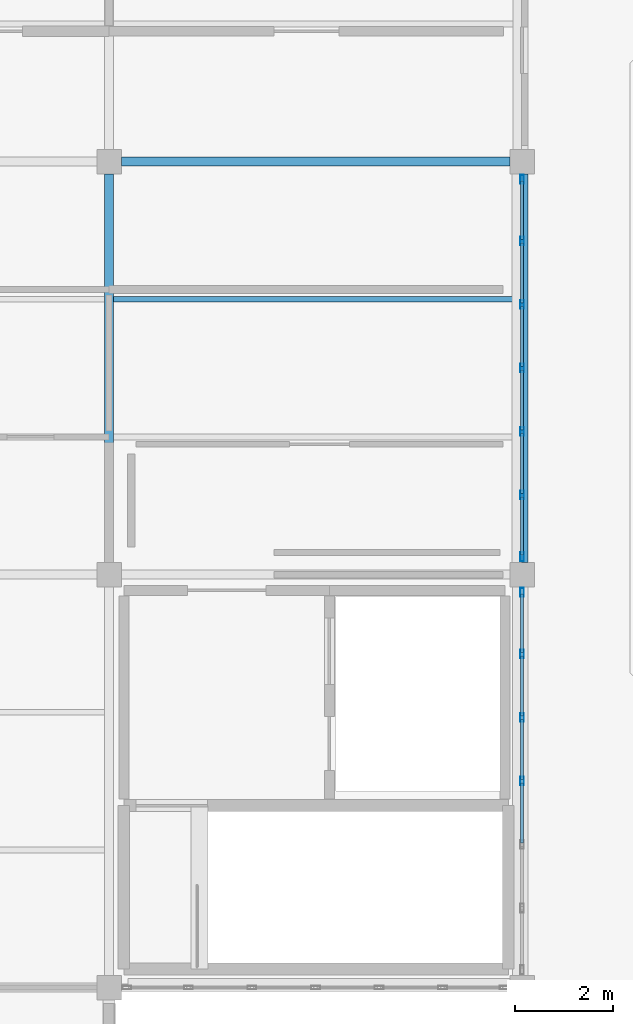
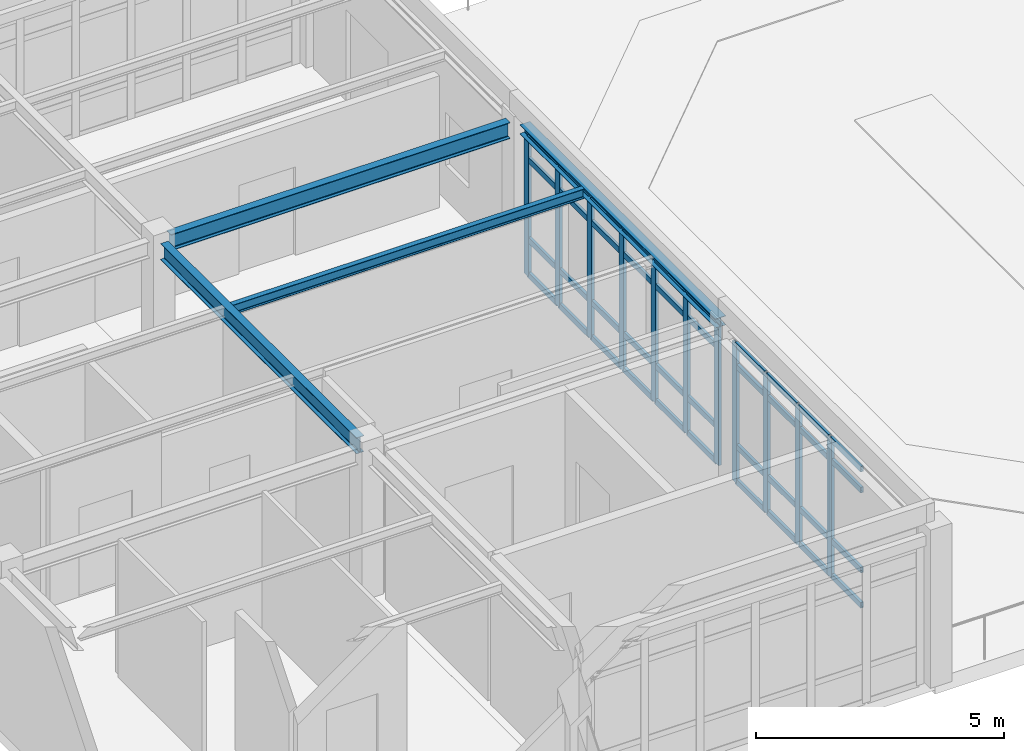
# One storey, part 23 of 45: 51 members, 4 beams, 2 elements without a shape of their own.
"""IFC4 building model written with IfcOpenShell, lengths in metres."""

import ifcopenshell
import ifcopenshell.guid

model = None  # the IFC model being written
_history = None  # IfcOwnerHistory: only IFC2X3 demands one
_inside = {}  # id of a spatial element -> (the spatial element, [elements in it])
_under = {}  # id of a project, library or spatial element -> (it, [spatial elements below it])
_declared = {}  # id of a project -> (the project, [libraries it declares])
_typed = {}  # id of a type object -> (the type object, [elements of that type])
_made_of = {}  # id of a material, layer set ... -> (it, [elements and type objects made of it])


def new_model(schema):
    """Start an empty IFC model of exactly this schema.

    Asked for "IFC4X3", IfcOpenShell would pick the latest addendum, in which some entities
    have other attributes; the version numbers below select the first issue.
    IFC2X3 requires an IfcOwnerHistory on every rooted entity: one is made here for all.
    """
    global model, _history
    if schema == "IFC4X3":
        model = ifcopenshell.file(schema_version=(4, 3, 0, 0))
    else:
        model = ifcopenshell.file(schema=schema)
    _inside.clear()
    _under.clear()
    _declared.clear()
    _typed.clear()
    _made_of.clear()
    _history = None
    if model.schema == "IFC2X3":
        org = make("IfcOrganization", Name="unknown")
        user = make(
            "IfcPersonAndOrganization",
            ThePerson=make("IfcPerson", FamilyName="unknown"),
            TheOrganization=org,
        )
        app = make(
            "IfcApplication",
            ApplicationDeveloper=org,
            Version="unknown",
            ApplicationFullName="unknown",
            ApplicationIdentifier="unknown",
        )
        _history = make(
            "IfcOwnerHistory",
            OwningUser=user,
            OwningApplication=app,
            ChangeAction="ADDED",
            CreationDate=0,
        )
    return model


def make(cls, **values):
    """One entity of the class cls with the attributes given. An attribute that is None is left unset."""
    return model.create_entity(
        cls, **{name: value for name, value in values.items() if value is not None}
    )


def rooted(cls, **values):
    """An entity with a GlobalId (a new one), such as an element, a storey or a relation."""
    return make(cls, GlobalId=ifcopenshell.guid.new(), OwnerHistory=_history, **values)


def si_unit(unit_type, name, prefix=None):
    """IfcSIUnit, for example si_unit("LENGTHUNIT", "METRE", prefix="MILLI")."""
    return make("IfcSIUnit", UnitType=unit_type, Prefix=prefix, Name=name)


def assignment(units):
    """IfcUnitAssignment: the units of a project."""
    return None if units is None else make("IfcUnitAssignment", Units=units)


def point(xyz):
    """IfcCartesianPoint."""
    return None if xyz is None else make("IfcCartesianPoint", Coordinates=xyz)


def direction(xyz):
    """IfcDirection."""
    return None if xyz is None else make("IfcDirection", DirectionRatios=xyz)


def frame(location, z_axis=None, x_axis=None):
    """IfcAxis2Placement3D, a coordinate frame: its origin and axes. An axis left out is left unset."""
    return make(
        "IfcAxis2Placement3D",
        Location=point(location),
        Axis=direction(z_axis),
        RefDirection=direction(x_axis),
    )


def frame_2d(location, x_axis=None):
    """IfcAxis2Placement2D, a coordinate frame in the plane: its origin and x axis."""
    return make(
        "IfcAxis2Placement2D", Location=point(location), RefDirection=direction(x_axis)
    )


def origin():
    """The frame at (0, 0, 0) with its axes left unset."""
    return frame((0.0, 0.0, 0.0))


def origin_2d():
    """The frame at (0, 0) in the plane with its x axis left unset."""
    return frame_2d((0.0, 0.0))


def place(relative_to, where):
    """IfcLocalPlacement: puts the frame where relative to a parent placement (None: the world)."""
    return make(
        "IfcLocalPlacement", PlacementRelTo=relative_to, RelativePlacement=where
    )


def context(
    kind, dimensions, precision=None, world=None, true_north=None, identifier=None
):
    """IfcGeometricRepresentationContext, for example the 3D "Model" context."""
    return make(
        "IfcGeometricRepresentationContext",
        ContextIdentifier=identifier,
        ContextType=kind,
        CoordinateSpaceDimension=dimensions,
        Precision=precision,
        WorldCoordinateSystem=world,
        TrueNorth=true_north,
    )


def subcontext(parent, identifier, kind, view, scale=None):
    """IfcGeometricRepresentationSubContext, for example "Body" below "Model"."""
    return make(
        "IfcGeometricRepresentationSubContext",
        ContextIdentifier=identifier,
        ContextType=kind,
        ParentContext=parent,
        TargetScale=scale,
        TargetView=view,
    )


def project(units=None, contexts=None):
    """IfcProject with its units and contexts."""
    return rooted(
        "IfcProject",
        Name="project",
        RepresentationContexts=contexts,
        UnitsInContext=assignment(units),
    )


def spatial(cls, under=None, at=None, **own):
    """A site, building, storey or space (cls), placed at a placement, below another one or the project."""
    s = rooted(cls, ObjectPlacement=at, **own)
    if under is not None:
        _under.setdefault(under.id(), (under, []))[1].append(s)
    return s


def profile(cls, at=None, kind="AREA", **sizes):
    """A parametric profile (cls). Its sizes go by their IFC names, for example OverallWidth=200.0."""
    return make(cls, ProfileType=kind, Position=at, **sizes)


def hollow_rectangle(**sizes):
    """IfcRectangleHollowProfileDef."""
    return profile("IfcRectangleHollowProfileDef", **sizes)


def i_section(**sizes):
    """IfcIShapeProfileDef."""
    return profile("IfcIShapeProfileDef", **sizes)


def extrude(swept, where, along, depth):
    """IfcExtrudedAreaSolid: the profile swept, set in the frame where, extruded along a direction by depth."""
    return make(
        "IfcExtrudedAreaSolid",
        SweptArea=swept,
        Position=where,
        ExtrudedDirection=direction(along),
        Depth=depth,
    )


def shape(context_of_items, identifier, shape_type, items):
    """IfcShapeRepresentation: the items that make up one representation, for example the "Body"."""
    return make(
        "IfcShapeRepresentation",
        ContextOfItems=context_of_items,
        RepresentationIdentifier=identifier,
        RepresentationType=shape_type,
        Items=items,
    )


def material(Name=None, Category=None):
    """IfcMaterial."""
    return make("IfcMaterial", Name=Name, Category=Category)


def layer(
    of_material, thickness, ventilated=None, Name=None, Category=None, Priority=None
):
    """IfcMaterialLayer: one layer of a wall or slab, of a material (None: an air gap)."""
    return make(
        "IfcMaterialLayer",
        Material=of_material,
        LayerThickness=thickness,
        IsVentilated=ventilated,
        Name=Name,
        Category=Category,
        Priority=Priority,
    )


def layer_set(layers, Name=None):
    """IfcMaterialLayerSet."""
    return make("IfcMaterialLayerSet", MaterialLayers=layers, LayerSetName=Name)


def material_profile(
    of_material, cross_section, Name=None, Category=None, Priority=None
):
    """IfcMaterialProfile: a cross section and its material."""
    return make(
        "IfcMaterialProfile",
        Name=Name,
        Material=of_material,
        Profile=cross_section,
        Priority=Priority,
        Category=Category,
    )


def profile_set(profiles, Name=None, composite=None):
    """IfcMaterialProfileSet."""
    return make(
        "IfcMaterialProfileSet",
        Name=Name,
        MaterialProfiles=profiles,
        CompositeProfile=composite,
    )


def made_of(thing, what):
    """Note that an element or type object is made of a material, layer set ...; save() writes the relation."""
    if what is not None:
        _made_of.setdefault(what.id(), (what, []))[1].append(thing)
    return thing


def type_object(cls, material=None, **own):
    """A type object (cls), such as IfcWallType, which elements share."""
    return made_of(rooted(cls, **own), material)


def element(
    cls,
    number,
    at=None,
    inside=None,
    cuts=None,
    type_object=None,
    material=None,
    context=None,
    identifier="Body",
    shape_type=None,
    held_by="IfcProductDefinitionShape",
    body=None,
    shapes=None,
    **own,
):
    """One element of the class cls, such as IfcWall. Its Tag is "e" and its number.

    at: its placement. inside: the storey or other place that contains it. cuts: it is an
    opening in that element (IfcRelVoidsElement). A single representation is given by context,
    identifier, shape_type and body (its items); several are given by shapes. held_by: the class
    of the entity that holds the representations. save() writes the other relations.
    """
    e = rooted(cls, Tag="e%d" % number, ObjectPlacement=at, **own)
    if body is not None:
        shapes = [shape(context, identifier, shape_type, body)]
    if shapes is not None:
        e.Representation = make(held_by, Representations=shapes)
    if inside is not None:
        _inside.setdefault(inside.id(), (inside, []))[1].append(e)
    if cuts is not None:
        rooted(
            "IfcRelVoidsElement", RelatingBuildingElement=cuts, RelatedOpeningElement=e
        )
    if type_object is not None:
        _typed.setdefault(type_object.id(), (type_object, []))[1].append(e)
    return made_of(e, material)


def aggregate(whole, parts):
    """IfcRelAggregates: a whole, such as a stair, and the parts it consists of."""
    return rooted("IfcRelAggregates", RelatingObject=whole, RelatedObjects=parts)


def save(model, path):
    """Write the relations noted so far, then the file.

    IfcRelAggregates (storeys below a building ...), IfcRelContainedInSpatialStructure (elements
    in a storey), IfcRelDefinesByType, IfcRelAssociatesMaterial and IfcRelDeclares: one each for
    every whole, place, type object, material and project.
    """
    for whole, parts in _under.values():
        aggregate(whole, parts)
    for where, things in _inside.values():
        rooted(
            "IfcRelContainedInSpatialStructure",
            RelatedElements=things,
            RelatingStructure=where,
        )
    for kind, things in _typed.values():
        rooted("IfcRelDefinesByType", RelatedObjects=things, RelatingType=kind)
    for what, things in _made_of.values():
        rooted("IfcRelAssociatesMaterial", RelatedObjects=things, RelatingMaterial=what)
    for by, libraries in _declared.values():
        rooted("IfcRelDeclares", RelatingContext=by, RelatedDefinitions=libraries)
    model.write(path)


model = new_model("IFC4")

# Units and contexts
model_context = context("Model", 3, precision=1e-05, world=origin(), true_north=direction((0.0, 1.0)))
body_context = subcontext(model_context, "Body", "Model", "MODEL_VIEW")
ifc_project = project(units=[si_unit("LENGTHUNIT", "METRE"), si_unit("AREAUNIT", "SQUARE_METRE"), si_unit("VOLUMEUNIT", "CUBIC_METRE"), si_unit("PLANEANGLEUNIT", "RADIAN"), si_unit("MASSUNIT", "GRAM", prefix="KILO")], contexts=[model_context])

# Site, building, storey
site_placement = place(None, origin())
site = spatial("IfcSite", under=ifc_project, at=site_placement, CompositionType="ELEMENT")
building_placement = place(site_placement, origin())
building = spatial("IfcBuilding", under=site, at=building_placement, Name="Bramfleet General Hospital", CompositionType="ELEMENT")
storey_placement = place(building_placement, frame((0.0, 0.0, 30.300048828125)))
storey = spatial("IfcBuildingStorey", under=building, at=storey_placement, Name="L07", CompositionType="ELEMENT", Elevation=30.300048828125)

# Beams
ifc_material_1 = material(Name="Steel S355", Category="steel")
ifc_material_profile_1 = material_profile(ifc_material_1, i_section(OverallWidth=0.239990234375, OverallDepth=0.22998046875, WebThickness=0.007568359375, FlangeThickness=0.011962890625, FilletRadius=0.02099609375, at=origin_2d()), Name="HEA 240")
ifc_profile_set_1 = profile_set([ifc_material_profile_1], Name="Steel S355")
beam_type_1 = type_object("IfcBeamType", Name="BM-HEA240", PredefinedType="SPANDREL", material=ifc_profile_set_1)
beam_1_placement = place(storey_placement, frame((126.0, 101.050048828125, 3.544921875), z_axis=(0.0, 1.0, 0.0), x_axis=(-1.0, 0.0, 0.0)))
element("IfcBeam", 1, at=beam_1_placement, inside=storey, type_object=beam_type_1, Name="L07 Grid Beam Y 15-12", PredefinedType="SPANDREL", context=body_context, shape_type="SweptSolid", body=[
    extrude(i_section(OverallWidth=0.239990234375, OverallDepth=0.22998046875, WebThickness=0.007568359375, FlangeThickness=0.011962890625, FilletRadius=0.02099609375, at=origin_2d()), origin(), (0.0, 0.0, 1.0), 7.89990234375),
])
ifc_material_profile_2 = material_profile(ifc_material_1, i_section(OverallWidth=0.1201171875, OverallDepth=0.239990234375, WebThickness=0.006103515625, FlangeThickness=0.009765625, FilletRadius=0.014892578125, at=origin_2d()), Name="IPE 240")
ifc_profile_set_2 = profile_set([ifc_material_profile_2], Name="Steel S355")
beam_type_2 = type_object("IfcBeamType", Name="BM-IPE240", PredefinedType="JOIST", material=ifc_profile_set_2)
beam_2_placement = place(storey_placement, frame((117.68994140625, 106.39990234375, 3.5400390625), z_axis=(1.0, 0.0, 0.0), x_axis=(0.0, 1.0, 0.0)))
element("IfcBeam", 2, at=beam_2_placement, inside=storey, type_object=beam_type_2, Name="L07 Secondary Joist 14-12-2", PredefinedType="JOIST", context=body_context, shape_type="SweptSolid", body=[
    extrude(i_section(OverallWidth=0.1201171875, OverallDepth=0.239990234375, WebThickness=0.006103515625, FlangeThickness=0.009765625, FilletRadius=0.014892578125, at=origin_2d()), origin(), (0.0, 0.0, 1.0), 8.18994140625),
])
ifc_material_profile_3 = material_profile(ifc_material_1, i_section(OverallWidth=0.179931640625, OverallDepth=0.39990234375, WebThickness=0.008544921875, FlangeThickness=0.013427734375, FilletRadius=0.02099609375, at=origin_2d()), Name="IPE 400")
ifc_profile_set_3 = profile_set([ifc_material_profile_3], Name="Steel S355")
beam_type_3 = type_object("IfcBeamType", Name="BM-IPE400", PredefinedType="BEAM", material=ifc_profile_set_3)
for number, where, z_axis, x_axis, name in (
    (3, (117.85009765625, 109.199951171875, 3.4599609375), (1.0, 0.0, 0.0), (0.0, 1.0, 0.0), "L07 Grid Beam X 14-13"),
    (4, (117.60009765625, 101.050048828125, 3.4599609375), (0.0, 1.0, 0.0), (-1.0, 0.0, 0.0), "L07 Grid Beam Y 14-12"),
):
    element("IfcBeam", number, at=place(storey_placement, frame(where, z_axis=z_axis, x_axis=x_axis)), inside=storey, type_object=beam_type_3, Name=name, PredefinedType="BEAM", context=body_context, shape_type="SweptSolid", body=[
        extrude(i_section(OverallWidth=0.179931640625, OverallDepth=0.39990234375, WebThickness=0.008544921875, FlangeThickness=0.013427734375, FilletRadius=0.02099609375, at=origin_2d()), origin(), (0.0, 0.0, 1.0), 7.89990234375),
    ])

# Curtain wall, members
ifc_material_2 = material(Name="Anodised aluminium and low-E triple glazing", Category="aluminium")
ifc_layer_1 = layer(ifc_material_2, 0.179931640625, Name="CWT-CW-11")
ifc_layer_set_1 = layer_set([ifc_layer_1], Name="Anodised aluminium and low-E triple glazing")
curtain_wall_type_1 = type_object("IfcCurtainWallType", Name="CWT-CW-11", PredefinedType="USERDEFINED", material=ifc_layer_set_1)
curtain_wall_1_placement = place(storey_placement, origin())
curtain_wall_1 = element("IfcCurtainWall", 5, at=curtain_wall_1_placement, inside=storey, type_object=curtain_wall_type_1, Name="L07 Curtain Wall 227", ObjectType="Stick curtain wall", PredefinedType="USERDEFINED")
ifc_material_3 = material(Name="Anodised aluminium EN AW-6060", Category="aluminium")
ifc_material_profile_4 = material_profile(ifc_material_3, hollow_rectangle(XDim=0.070068359375, YDim=0.179931640625, WallThickness=0.00390625, at=origin_2d()), Name="ALU 180x70x4.0")
ifc_profile_set_4 = profile_set([ifc_material_profile_4], Name="Anodised aluminium EN AW-6060")
member_type_1 = type_object("IfcMemberType", Name="CWM-ALU180", PredefinedType="MULLION", material=ifc_profile_set_4)
member_1_placement = place(storey_placement, frame((126.0, 108.840087890625, 0.0), z_axis=(0.0, 0.0, 1.0), x_axis=(1.0, 0.0, 0.0)))
member_1 = element("IfcMember", 6, at=member_1_placement, type_object=member_type_1, Name="CW-11 mullion 1", PredefinedType="MULLION", context=body_context, shape_type="SweptSolid", body=[
    extrude(hollow_rectangle(XDim=0.070068359375, YDim=0.179931640625, WallThickness=0.00390625, at=origin_2d()), origin(), (0.0, 0.0, 1.0), 3.419921875),
])
member_2_placement = place(storey_placement, frame((126.0, 107.583251953125, 0.0), z_axis=(0.0, 0.0, 1.0), x_axis=(1.0, 0.0, 0.0)))
member_2 = element("IfcMember", 7, at=member_2_placement, type_object=member_type_1, Name="CW-11 mullion 2", PredefinedType="MULLION", context=body_context, shape_type="SweptSolid", body=[
    extrude(hollow_rectangle(XDim=0.070068359375, YDim=0.179931640625, WallThickness=0.00390625, at=origin_2d()), origin(), (0.0, 0.0, 1.0), 3.419921875),
])
member_3_placement = place(storey_placement, frame((126.0, 106.291748046875, 0.0), z_axis=(0.0, 0.0, 1.0), x_axis=(1.0, 0.0, 0.0)))
member_3 = element("IfcMember", 8, at=member_3_placement, type_object=member_type_1, Name="CW-11 mullion 3", PredefinedType="MULLION", context=body_context, shape_type="SweptSolid", body=[
    extrude(hollow_rectangle(XDim=0.070068359375, YDim=0.179931640625, WallThickness=0.00390625, at=origin_2d()), origin(), (0.0, 0.0, 1.0), 3.419921875),
])
member_4_placement = place(storey_placement, frame((126.0, 105.0, 0.0), z_axis=(0.0, 0.0, 1.0), x_axis=(1.0, 0.0, 0.0)))
member_4 = element("IfcMember", 9, at=member_4_placement, type_object=member_type_1, Name="CW-11 mullion 4", PredefinedType="MULLION", context=body_context, shape_type="SweptSolid", body=[
    extrude(hollow_rectangle(XDim=0.070068359375, YDim=0.179931640625, WallThickness=0.00390625, at=origin_2d()), origin(), (0.0, 0.0, 1.0), 3.419921875),
])
member_5_placement = place(storey_placement, frame((126.0, 103.708251953125, 0.0), z_axis=(0.0, 0.0, 1.0), x_axis=(1.0, 0.0, 0.0)))
member_5 = element("IfcMember", 10, at=member_5_placement, type_object=member_type_1, Name="CW-11 mullion 5", PredefinedType="MULLION", context=body_context, shape_type="SweptSolid", body=[
    extrude(hollow_rectangle(XDim=0.070068359375, YDim=0.179931640625, WallThickness=0.00390625, at=origin_2d()), origin(), (0.0, 0.0, 1.0), 3.419921875),
])
member_6_placement = place(storey_placement, frame((126.0, 102.416748046875, 0.0), z_axis=(0.0, 0.0, 1.0), x_axis=(1.0, 0.0, 0.0)))
member_6 = element("IfcMember", 11, at=member_6_placement, type_object=member_type_1, Name="CW-11 mullion 6", PredefinedType="MULLION", context=body_context, shape_type="SweptSolid", body=[
    extrude(hollow_rectangle(XDim=0.070068359375, YDim=0.179931640625, WallThickness=0.00390625, at=origin_2d()), origin(), (0.0, 0.0, 1.0), 3.419921875),
])
member_7_placement = place(storey_placement, frame((126.0, 101.159912109375, 0.0), z_axis=(0.0, 0.0, 1.0), x_axis=(1.0, 0.0, 0.0)))
member_7 = element("IfcMember", 12, at=member_7_placement, type_object=member_type_1, Name="CW-11 mullion 7", PredefinedType="MULLION", context=body_context, shape_type="SweptSolid", body=[
    extrude(hollow_rectangle(XDim=0.070068359375, YDim=0.179931640625, WallThickness=0.00390625, at=origin_2d()), origin(), (0.0, 0.0, 1.0), 3.419921875),
])

ifc_layer_2 = layer(ifc_material_2, 0.179931640625, Name="CWT-CW-12")
ifc_layer_set_2 = layer_set([ifc_layer_2], Name="Anodised aluminium and low-E triple glazing")
curtain_wall_type_2 = type_object("IfcCurtainWallType", Name="CWT-CW-12", PredefinedType="USERDEFINED", material=ifc_layer_set_2)
curtain_wall_2_placement = place(storey_placement, origin())
curtain_wall_2 = element("IfcCurtainWall", 13, at=curtain_wall_2_placement, inside=storey, type_object=curtain_wall_type_2, Name="L07 Curtain Wall 228", ObjectType="Stick curtain wall", PredefinedType="USERDEFINED")
member_8_placement = place(storey_placement, frame((126.0, 100.43994140625, 0.0), z_axis=(0.0, 0.0, 1.0), x_axis=(1.0, 0.0, 0.0)))
member_8 = element("IfcMember", 14, at=member_8_placement, type_object=member_type_1, Name="CW-12 mullion 1", PredefinedType="MULLION", context=body_context, shape_type="SweptSolid", body=[
    extrude(hollow_rectangle(XDim=0.070068359375, YDim=0.179931640625, WallThickness=0.00390625, at=origin_2d()), origin(), (0.0, 0.0, 1.0), 3.419921875),
])
member_9_placement = place(storey_placement, frame((126.0, 99.183349609375, 0.0), z_axis=(0.0, 0.0, 1.0), x_axis=(1.0, 0.0, 0.0)))
member_9 = element("IfcMember", 15, at=member_9_placement, type_object=member_type_1, Name="CW-12 mullion 2", PredefinedType="MULLION", context=body_context, shape_type="SweptSolid", body=[
    extrude(hollow_rectangle(XDim=0.070068359375, YDim=0.179931640625, WallThickness=0.00390625, at=origin_2d()), origin(), (0.0, 0.0, 1.0), 3.419921875),
])
member_10_placement = place(storey_placement, frame((126.0, 97.8916015625, 0.0), z_axis=(0.0, 0.0, 1.0), x_axis=(1.0, 0.0, 0.0)))
member_10 = element("IfcMember", 16, at=member_10_placement, type_object=member_type_1, Name="CW-12 mullion 3", PredefinedType="MULLION", context=body_context, shape_type="SweptSolid", body=[
    extrude(hollow_rectangle(XDim=0.070068359375, YDim=0.179931640625, WallThickness=0.00390625, at=origin_2d()), origin(), (0.0, 0.0, 1.0), 3.419921875),
])
member_11_placement = place(storey_placement, frame((126.0, 96.60009765625, 0.0), z_axis=(0.0, 0.0, 1.0), x_axis=(1.0, 0.0, 0.0)))
member_11 = element("IfcMember", 17, at=member_11_placement, type_object=member_type_1, Name="CW-12 mullion 4", PredefinedType="MULLION", context=body_context, shape_type="SweptSolid", body=[
    extrude(hollow_rectangle(XDim=0.070068359375, YDim=0.179931640625, WallThickness=0.00390625, at=origin_2d()), origin(), (0.0, 0.0, 1.0), 3.419921875),
])

# Member
ifc_material_profile_5 = material_profile(ifc_material_3, hollow_rectangle(XDim=0.06494140625, YDim=0.139892578125, WallThickness=0.00390625, at=origin_2d()), Name="ALU 140x65x4.0")
ifc_profile_set_5 = profile_set([ifc_material_profile_5], Name="Anodised aluminium EN AW-6060")
member_type_2 = type_object("IfcMemberType", Name="CWT-ALU140", PredefinedType="USERDEFINED", material=ifc_profile_set_5)
member_12_placement = place(storey_placement, frame((126.0, 108.804931640625, 0.032470703125), z_axis=(0.0, -1.0, 0.0), x_axis=(1.0, 0.0, 0.0)))
member_12 = element("IfcMember", 18, at=member_12_placement, type_object=member_type_2, Name="CW-11 transom 1.1", ObjectType="TRANSOM", PredefinedType="USERDEFINED", context=body_context, shape_type="SweptSolid", body=[
    extrude(hollow_rectangle(XDim=0.06494140625, YDim=0.139892578125, WallThickness=0.00390625, at=origin_2d()), origin(), (0.0, 0.0, 1.0), 1.1865234375),
])

member_13_placement = place(storey_placement, frame((126.0, 108.804931640625, 0.89990234375), z_axis=(0.0, -1.0, 0.0), x_axis=(1.0, 0.0, 0.0)))
member_13 = element("IfcMember", 19, at=member_13_placement, type_object=member_type_2, Name="CW-11 transom 1.2", ObjectType="TRANSOM", PredefinedType="USERDEFINED", context=body_context, shape_type="SweptSolid", body=[
    extrude(hollow_rectangle(XDim=0.06494140625, YDim=0.139892578125, WallThickness=0.00390625, at=origin_2d()), origin(), (0.0, 0.0, 1.0), 1.1865234375),
])

member_14_placement = place(storey_placement, frame((126.0, 108.804931640625, 2.869873046875), z_axis=(0.0, -1.0, 0.0), x_axis=(1.0, 0.0, 0.0)))
member_14 = element("IfcMember", 20, at=member_14_placement, type_object=member_type_2, Name="CW-11 transom 1.3", ObjectType="TRANSOM", PredefinedType="USERDEFINED", context=body_context, shape_type="SweptSolid", body=[
    extrude(hollow_rectangle(XDim=0.06494140625, YDim=0.139892578125, WallThickness=0.00390625, at=origin_2d()), origin(), (0.0, 0.0, 1.0), 1.1865234375),
])

member_15_placement = place(storey_placement, frame((126.0, 108.804931640625, 3.387451171875), z_axis=(0.0, -1.0, 0.0), x_axis=(1.0, 0.0, 0.0)))
member_15 = element("IfcMember", 21, at=member_15_placement, type_object=member_type_2, Name="CW-11 transom 1.4", ObjectType="TRANSOM", PredefinedType="USERDEFINED", context=body_context, shape_type="SweptSolid", body=[
    extrude(hollow_rectangle(XDim=0.06494140625, YDim=0.139892578125, WallThickness=0.00390625, at=origin_2d()), origin(), (0.0, 0.0, 1.0), 1.1865234375),
])

member_16_placement = place(storey_placement, frame((126.0, 107.54833984375, 0.032470703125), z_axis=(0.0, -1.0, 0.0), x_axis=(1.0, 0.0, 0.0)))
member_16 = element("IfcMember", 22, at=member_16_placement, type_object=member_type_2, Name="CW-11 transom 2.1", ObjectType="TRANSOM", PredefinedType="USERDEFINED", context=body_context, shape_type="SweptSolid", body=[
    extrude(hollow_rectangle(XDim=0.06494140625, YDim=0.139892578125, WallThickness=0.00390625, at=origin_2d()), origin(), (0.0, 0.0, 1.0), 1.2216796875),
])

member_17_placement = place(storey_placement, frame((126.0, 107.54833984375, 0.89990234375), z_axis=(0.0, -1.0, 0.0), x_axis=(1.0, 0.0, 0.0)))
member_17 = element("IfcMember", 23, at=member_17_placement, type_object=member_type_2, Name="CW-11 transom 2.2", ObjectType="TRANSOM", PredefinedType="USERDEFINED", context=body_context, shape_type="SweptSolid", body=[
    extrude(hollow_rectangle(XDim=0.06494140625, YDim=0.139892578125, WallThickness=0.00390625, at=origin_2d()), origin(), (0.0, 0.0, 1.0), 1.2216796875),
])

member_18_placement = place(storey_placement, frame((126.0, 107.54833984375, 2.869873046875), z_axis=(0.0, -1.0, 0.0), x_axis=(1.0, 0.0, 0.0)))
member_18 = element("IfcMember", 24, at=member_18_placement, type_object=member_type_2, Name="CW-11 transom 2.3", ObjectType="TRANSOM", PredefinedType="USERDEFINED", context=body_context, shape_type="SweptSolid", body=[
    extrude(hollow_rectangle(XDim=0.06494140625, YDim=0.139892578125, WallThickness=0.00390625, at=origin_2d()), origin(), (0.0, 0.0, 1.0), 1.2216796875),
])

member_19_placement = place(storey_placement, frame((126.0, 107.54833984375, 3.387451171875), z_axis=(0.0, -1.0, 0.0), x_axis=(1.0, 0.0, 0.0)))
member_19 = element("IfcMember", 25, at=member_19_placement, type_object=member_type_2, Name="CW-11 transom 2.4", ObjectType="TRANSOM", PredefinedType="USERDEFINED", context=body_context, shape_type="SweptSolid", body=[
    extrude(hollow_rectangle(XDim=0.06494140625, YDim=0.139892578125, WallThickness=0.00390625, at=origin_2d()), origin(), (0.0, 0.0, 1.0), 1.2216796875),
])

member_20_placement = place(storey_placement, frame((126.0, 106.256591796875, 0.032470703125), z_axis=(0.0, -1.0, 0.0), x_axis=(1.0, 0.0, 0.0)))
member_20 = element("IfcMember", 26, at=member_20_placement, type_object=member_type_2, Name="CW-11 transom 3.1", ObjectType="TRANSOM", PredefinedType="USERDEFINED", context=body_context, shape_type="SweptSolid", body=[
    extrude(hollow_rectangle(XDim=0.06494140625, YDim=0.139892578125, WallThickness=0.00390625, at=origin_2d()), origin(), (0.0, 0.0, 1.0), 1.2216796875),
])

member_21_placement = place(storey_placement, frame((126.0, 106.256591796875, 0.89990234375), z_axis=(0.0, -1.0, 0.0), x_axis=(1.0, 0.0, 0.0)))
member_21 = element("IfcMember", 27, at=member_21_placement, type_object=member_type_2, Name="CW-11 transom 3.2", ObjectType="TRANSOM", PredefinedType="USERDEFINED", context=body_context, shape_type="SweptSolid", body=[
    extrude(hollow_rectangle(XDim=0.06494140625, YDim=0.139892578125, WallThickness=0.00390625, at=origin_2d()), origin(), (0.0, 0.0, 1.0), 1.2216796875),
])

member_22_placement = place(storey_placement, frame((126.0, 106.256591796875, 2.869873046875), z_axis=(0.0, -1.0, 0.0), x_axis=(1.0, 0.0, 0.0)))
member_22 = element("IfcMember", 28, at=member_22_placement, type_object=member_type_2, Name="CW-11 transom 3.3", ObjectType="TRANSOM", PredefinedType="USERDEFINED", context=body_context, shape_type="SweptSolid", body=[
    extrude(hollow_rectangle(XDim=0.06494140625, YDim=0.139892578125, WallThickness=0.00390625, at=origin_2d()), origin(), (0.0, 0.0, 1.0), 1.2216796875),
])

member_23_placement = place(storey_placement, frame((126.0, 106.256591796875, 3.387451171875), z_axis=(0.0, -1.0, 0.0), x_axis=(1.0, 0.0, 0.0)))
member_23 = element("IfcMember", 29, at=member_23_placement, type_object=member_type_2, Name="CW-11 transom 3.4", ObjectType="TRANSOM", PredefinedType="USERDEFINED", context=body_context, shape_type="SweptSolid", body=[
    extrude(hollow_rectangle(XDim=0.06494140625, YDim=0.139892578125, WallThickness=0.00390625, at=origin_2d()), origin(), (0.0, 0.0, 1.0), 1.2216796875),
])

member_24_placement = place(storey_placement, frame((126.0, 104.965087890625, 0.032470703125), z_axis=(0.0, -1.0, 0.0), x_axis=(1.0, 0.0, 0.0)))
member_24 = element("IfcMember", 30, at=member_24_placement, type_object=member_type_2, Name="CW-11 transom 4.1", ObjectType="TRANSOM", PredefinedType="USERDEFINED", context=body_context, shape_type="SweptSolid", body=[
    extrude(hollow_rectangle(XDim=0.06494140625, YDim=0.139892578125, WallThickness=0.00390625, at=origin_2d()), origin(), (0.0, 0.0, 1.0), 1.2216796875),
])

member_25_placement = place(storey_placement, frame((126.0, 104.965087890625, 0.89990234375), z_axis=(0.0, -1.0, 0.0), x_axis=(1.0, 0.0, 0.0)))
member_25 = element("IfcMember", 31, at=member_25_placement, type_object=member_type_2, Name="CW-11 transom 4.2", ObjectType="TRANSOM", PredefinedType="USERDEFINED", context=body_context, shape_type="SweptSolid", body=[
    extrude(hollow_rectangle(XDim=0.06494140625, YDim=0.139892578125, WallThickness=0.00390625, at=origin_2d()), origin(), (0.0, 0.0, 1.0), 1.2216796875),
])

member_26_placement = place(storey_placement, frame((126.0, 104.965087890625, 2.869873046875), z_axis=(0.0, -1.0, 0.0), x_axis=(1.0, 0.0, 0.0)))
member_26 = element("IfcMember", 32, at=member_26_placement, type_object=member_type_2, Name="CW-11 transom 4.3", ObjectType="TRANSOM", PredefinedType="USERDEFINED", context=body_context, shape_type="SweptSolid", body=[
    extrude(hollow_rectangle(XDim=0.06494140625, YDim=0.139892578125, WallThickness=0.00390625, at=origin_2d()), origin(), (0.0, 0.0, 1.0), 1.2216796875),
])

member_27_placement = place(storey_placement, frame((126.0, 104.965087890625, 3.387451171875), z_axis=(0.0, -1.0, 0.0), x_axis=(1.0, 0.0, 0.0)))
member_27 = element("IfcMember", 33, at=member_27_placement, type_object=member_type_2, Name="CW-11 transom 4.4", ObjectType="TRANSOM", PredefinedType="USERDEFINED", context=body_context, shape_type="SweptSolid", body=[
    extrude(hollow_rectangle(XDim=0.06494140625, YDim=0.139892578125, WallThickness=0.00390625, at=origin_2d()), origin(), (0.0, 0.0, 1.0), 1.2216796875),
])

member_28_placement = place(storey_placement, frame((126.0, 103.67333984375, 0.032470703125), z_axis=(0.0, -1.0, 0.0), x_axis=(1.0, 0.0, 0.0)))
member_28 = element("IfcMember", 34, at=member_28_placement, type_object=member_type_2, Name="CW-11 transom 5.1", ObjectType="TRANSOM", PredefinedType="USERDEFINED", context=body_context, shape_type="SweptSolid", body=[
    extrude(hollow_rectangle(XDim=0.06494140625, YDim=0.139892578125, WallThickness=0.00390625, at=origin_2d()), origin(), (0.0, 0.0, 1.0), 1.2216796875),
])

member_29_placement = place(storey_placement, frame((126.0, 103.67333984375, 0.89990234375), z_axis=(0.0, -1.0, 0.0), x_axis=(1.0, 0.0, 0.0)))
member_29 = element("IfcMember", 35, at=member_29_placement, type_object=member_type_2, Name="CW-11 transom 5.2", ObjectType="TRANSOM", PredefinedType="USERDEFINED", context=body_context, shape_type="SweptSolid", body=[
    extrude(hollow_rectangle(XDim=0.06494140625, YDim=0.139892578125, WallThickness=0.00390625, at=origin_2d()), origin(), (0.0, 0.0, 1.0), 1.2216796875),
])

member_30_placement = place(storey_placement, frame((126.0, 103.67333984375, 2.869873046875), z_axis=(0.0, -1.0, 0.0), x_axis=(1.0, 0.0, 0.0)))
member_30 = element("IfcMember", 36, at=member_30_placement, type_object=member_type_2, Name="CW-11 transom 5.3", ObjectType="TRANSOM", PredefinedType="USERDEFINED", context=body_context, shape_type="SweptSolid", body=[
    extrude(hollow_rectangle(XDim=0.06494140625, YDim=0.139892578125, WallThickness=0.00390625, at=origin_2d()), origin(), (0.0, 0.0, 1.0), 1.2216796875),
])

member_31_placement = place(storey_placement, frame((126.0, 103.67333984375, 3.387451171875), z_axis=(0.0, -1.0, 0.0), x_axis=(1.0, 0.0, 0.0)))
member_31 = element("IfcMember", 37, at=member_31_placement, type_object=member_type_2, Name="CW-11 transom 5.4", ObjectType="TRANSOM", PredefinedType="USERDEFINED", context=body_context, shape_type="SweptSolid", body=[
    extrude(hollow_rectangle(XDim=0.06494140625, YDim=0.139892578125, WallThickness=0.00390625, at=origin_2d()), origin(), (0.0, 0.0, 1.0), 1.2216796875),
])

member_32_placement = place(storey_placement, frame((126.0, 102.381591796875, 0.032470703125), z_axis=(0.0, -1.0, 0.0), x_axis=(1.0, 0.0, 0.0)))
member_32 = element("IfcMember", 38, at=member_32_placement, type_object=member_type_2, Name="CW-11 transom 6.1", ObjectType="TRANSOM", PredefinedType="USERDEFINED", context=body_context, shape_type="SweptSolid", body=[
    extrude(hollow_rectangle(XDim=0.06494140625, YDim=0.139892578125, WallThickness=0.00390625, at=origin_2d()), origin(), (0.0, 0.0, 1.0), 1.1865234375),
])

member_33_placement = place(storey_placement, frame((126.0, 102.381591796875, 0.89990234375), z_axis=(0.0, -1.0, 0.0), x_axis=(1.0, 0.0, 0.0)))
member_33 = element("IfcMember", 39, at=member_33_placement, type_object=member_type_2, Name="CW-11 transom 6.2", ObjectType="TRANSOM", PredefinedType="USERDEFINED", context=body_context, shape_type="SweptSolid", body=[
    extrude(hollow_rectangle(XDim=0.06494140625, YDim=0.139892578125, WallThickness=0.00390625, at=origin_2d()), origin(), (0.0, 0.0, 1.0), 1.1865234375),
])

member_34_placement = place(storey_placement, frame((126.0, 102.381591796875, 2.869873046875), z_axis=(0.0, -1.0, 0.0), x_axis=(1.0, 0.0, 0.0)))
member_34 = element("IfcMember", 40, at=member_34_placement, type_object=member_type_2, Name="CW-11 transom 6.3", ObjectType="TRANSOM", PredefinedType="USERDEFINED", context=body_context, shape_type="SweptSolid", body=[
    extrude(hollow_rectangle(XDim=0.06494140625, YDim=0.139892578125, WallThickness=0.00390625, at=origin_2d()), origin(), (0.0, 0.0, 1.0), 1.1865234375),
])

member_35_placement = place(storey_placement, frame((126.0, 102.381591796875, 3.387451171875), z_axis=(0.0, -1.0, 0.0), x_axis=(1.0, 0.0, 0.0)))
member_35 = element("IfcMember", 41, at=member_35_placement, type_object=member_type_2, Name="CW-11 transom 6.4", ObjectType="TRANSOM", PredefinedType="USERDEFINED", context=body_context, shape_type="SweptSolid", body=[
    extrude(hollow_rectangle(XDim=0.06494140625, YDim=0.139892578125, WallThickness=0.00390625, at=origin_2d()), origin(), (0.0, 0.0, 1.0), 1.1865234375),
])

aggregate(curtain_wall_1, [member_1, member_2, member_3, member_4, member_5, member_6, member_7, member_12, member_13, member_14, member_15, member_16, member_17, member_18, member_19, member_20, member_21, member_22, member_23, member_24, member_25, member_26, member_27, member_28, member_29, member_30, member_31, member_32, member_33, member_34, member_35])

member_36_placement = place(storey_placement, frame((126.0, 100.405029296875, 0.032470703125), z_axis=(0.0, -1.0, 0.0), x_axis=(1.0, 0.0, 0.0)))
member_36 = element("IfcMember", 42, at=member_36_placement, type_object=member_type_2, Name="CW-12 transom 1.1", ObjectType="TRANSOM", PredefinedType="USERDEFINED", context=body_context, shape_type="SweptSolid", body=[
    extrude(hollow_rectangle(XDim=0.06494140625, YDim=0.139892578125, WallThickness=0.00390625, at=origin_2d()), origin(), (0.0, 0.0, 1.0), 1.186767578125),
])

member_37_placement = place(storey_placement, frame((126.0, 100.405029296875, 0.89990234375), z_axis=(0.0, -1.0, 0.0), x_axis=(1.0, 0.0, 0.0)))
member_37 = element("IfcMember", 43, at=member_37_placement, type_object=member_type_2, Name="CW-12 transom 1.2", ObjectType="TRANSOM", PredefinedType="USERDEFINED", context=body_context, shape_type="SweptSolid", body=[
    extrude(hollow_rectangle(XDim=0.06494140625, YDim=0.139892578125, WallThickness=0.00390625, at=origin_2d()), origin(), (0.0, 0.0, 1.0), 1.186767578125),
])

member_38_placement = place(storey_placement, frame((126.0, 100.405029296875, 2.869873046875), z_axis=(0.0, -1.0, 0.0), x_axis=(1.0, 0.0, 0.0)))
member_38 = element("IfcMember", 44, at=member_38_placement, type_object=member_type_2, Name="CW-12 transom 1.3", ObjectType="TRANSOM", PredefinedType="USERDEFINED", context=body_context, shape_type="SweptSolid", body=[
    extrude(hollow_rectangle(XDim=0.06494140625, YDim=0.139892578125, WallThickness=0.00390625, at=origin_2d()), origin(), (0.0, 0.0, 1.0), 1.186767578125),
])

member_39_placement = place(storey_placement, frame((126.0, 100.405029296875, 3.387451171875), z_axis=(0.0, -1.0, 0.0), x_axis=(1.0, 0.0, 0.0)))
member_39 = element("IfcMember", 45, at=member_39_placement, type_object=member_type_2, Name="CW-12 transom 1.4", ObjectType="TRANSOM", PredefinedType="USERDEFINED", context=body_context, shape_type="SweptSolid", body=[
    extrude(hollow_rectangle(XDim=0.06494140625, YDim=0.139892578125, WallThickness=0.00390625, at=origin_2d()), origin(), (0.0, 0.0, 1.0), 1.186767578125),
])

member_40_placement = place(storey_placement, frame((126.0, 99.1484375, 0.032470703125), z_axis=(0.0, -1.0, 0.0), x_axis=(1.0, 0.0, 0.0)))
member_40 = element("IfcMember", 46, at=member_40_placement, type_object=member_type_2, Name="CW-12 transom 2.1", ObjectType="TRANSOM", PredefinedType="USERDEFINED", context=body_context, shape_type="SweptSolid", body=[
    extrude(hollow_rectangle(XDim=0.06494140625, YDim=0.139892578125, WallThickness=0.00390625, at=origin_2d()), origin(), (0.0, 0.0, 1.0), 1.2216796875),
])

member_41_placement = place(storey_placement, frame((126.0, 99.1484375, 0.89990234375), z_axis=(0.0, -1.0, 0.0), x_axis=(1.0, 0.0, 0.0)))
member_41 = element("IfcMember", 47, at=member_41_placement, type_object=member_type_2, Name="CW-12 transom 2.2", ObjectType="TRANSOM", PredefinedType="USERDEFINED", context=body_context, shape_type="SweptSolid", body=[
    extrude(hollow_rectangle(XDim=0.06494140625, YDim=0.139892578125, WallThickness=0.00390625, at=origin_2d()), origin(), (0.0, 0.0, 1.0), 1.2216796875),
])

member_42_placement = place(storey_placement, frame((126.0, 99.1484375, 2.869873046875), z_axis=(0.0, -1.0, 0.0), x_axis=(1.0, 0.0, 0.0)))
member_42 = element("IfcMember", 48, at=member_42_placement, type_object=member_type_2, Name="CW-12 transom 2.3", ObjectType="TRANSOM", PredefinedType="USERDEFINED", context=body_context, shape_type="SweptSolid", body=[
    extrude(hollow_rectangle(XDim=0.06494140625, YDim=0.139892578125, WallThickness=0.00390625, at=origin_2d()), origin(), (0.0, 0.0, 1.0), 1.2216796875),
])

member_43_placement = place(storey_placement, frame((126.0, 99.1484375, 3.387451171875), z_axis=(0.0, -1.0, 0.0), x_axis=(1.0, 0.0, 0.0)))
member_43 = element("IfcMember", 49, at=member_43_placement, type_object=member_type_2, Name="CW-12 transom 2.4", ObjectType="TRANSOM", PredefinedType="USERDEFINED", context=body_context, shape_type="SweptSolid", body=[
    extrude(hollow_rectangle(XDim=0.06494140625, YDim=0.139892578125, WallThickness=0.00390625, at=origin_2d()), origin(), (0.0, 0.0, 1.0), 1.2216796875),
])

member_44_placement = place(storey_placement, frame((126.0, 97.856689453125, 0.032470703125), z_axis=(0.0, -1.0, 0.0), x_axis=(1.0, 0.0, 0.0)))
member_44 = element("IfcMember", 50, at=member_44_placement, type_object=member_type_2, Name="CW-12 transom 3.1", ObjectType="TRANSOM", PredefinedType="USERDEFINED", context=body_context, shape_type="SweptSolid", body=[
    extrude(hollow_rectangle(XDim=0.06494140625, YDim=0.139892578125, WallThickness=0.00390625, at=origin_2d()), origin(), (0.0, 0.0, 1.0), 1.2216796875),
])

member_45_placement = place(storey_placement, frame((126.0, 97.856689453125, 0.89990234375), z_axis=(0.0, -1.0, 0.0), x_axis=(1.0, 0.0, 0.0)))
member_45 = element("IfcMember", 51, at=member_45_placement, type_object=member_type_2, Name="CW-12 transom 3.2", ObjectType="TRANSOM", PredefinedType="USERDEFINED", context=body_context, shape_type="SweptSolid", body=[
    extrude(hollow_rectangle(XDim=0.06494140625, YDim=0.139892578125, WallThickness=0.00390625, at=origin_2d()), origin(), (0.0, 0.0, 1.0), 1.2216796875),
])

member_46_placement = place(storey_placement, frame((126.0, 97.856689453125, 2.869873046875), z_axis=(0.0, -1.0, 0.0), x_axis=(1.0, 0.0, 0.0)))
member_46 = element("IfcMember", 52, at=member_46_placement, type_object=member_type_2, Name="CW-12 transom 3.3", ObjectType="TRANSOM", PredefinedType="USERDEFINED", context=body_context, shape_type="SweptSolid", body=[
    extrude(hollow_rectangle(XDim=0.06494140625, YDim=0.139892578125, WallThickness=0.00390625, at=origin_2d()), origin(), (0.0, 0.0, 1.0), 1.2216796875),
])

member_47_placement = place(storey_placement, frame((126.0, 97.856689453125, 3.387451171875), z_axis=(0.0, -1.0, 0.0), x_axis=(1.0, 0.0, 0.0)))
member_47 = element("IfcMember", 53, at=member_47_placement, type_object=member_type_2, Name="CW-12 transom 3.4", ObjectType="TRANSOM", PredefinedType="USERDEFINED", context=body_context, shape_type="SweptSolid", body=[
    extrude(hollow_rectangle(XDim=0.06494140625, YDim=0.139892578125, WallThickness=0.00390625, at=origin_2d()), origin(), (0.0, 0.0, 1.0), 1.2216796875),
])

member_48_placement = place(storey_placement, frame((126.0, 96.56494140625, 0.032470703125), z_axis=(0.0, -1.0, 0.0), x_axis=(1.0, 0.0, 0.0)))
member_48 = element("IfcMember", 54, at=member_48_placement, type_object=member_type_2, Name="CW-12 transom 4.1", ObjectType="TRANSOM", PredefinedType="USERDEFINED", context=body_context, shape_type="SweptSolid", body=[
    extrude(hollow_rectangle(XDim=0.06494140625, YDim=0.139892578125, WallThickness=0.00390625, at=origin_2d()), origin(), (0.0, 0.0, 1.0), 1.2216796875),
])

member_49_placement = place(storey_placement, frame((126.0, 96.56494140625, 0.89990234375), z_axis=(0.0, -1.0, 0.0), x_axis=(1.0, 0.0, 0.0)))
member_49 = element("IfcMember", 55, at=member_49_placement, type_object=member_type_2, Name="CW-12 transom 4.2", ObjectType="TRANSOM", PredefinedType="USERDEFINED", context=body_context, shape_type="SweptSolid", body=[
    extrude(hollow_rectangle(XDim=0.06494140625, YDim=0.139892578125, WallThickness=0.00390625, at=origin_2d()), origin(), (0.0, 0.0, 1.0), 1.2216796875),
])

member_50_placement = place(storey_placement, frame((126.0, 96.56494140625, 2.869873046875), z_axis=(0.0, -1.0, 0.0), x_axis=(1.0, 0.0, 0.0)))
member_50 = element("IfcMember", 56, at=member_50_placement, type_object=member_type_2, Name="CW-12 transom 4.3", ObjectType="TRANSOM", PredefinedType="USERDEFINED", context=body_context, shape_type="SweptSolid", body=[
    extrude(hollow_rectangle(XDim=0.06494140625, YDim=0.139892578125, WallThickness=0.00390625, at=origin_2d()), origin(), (0.0, 0.0, 1.0), 1.2216796875),
])

member_51_placement = place(storey_placement, frame((126.0, 96.56494140625, 3.387451171875), z_axis=(0.0, -1.0, 0.0), x_axis=(1.0, 0.0, 0.0)))
member_51 = element("IfcMember", 57, at=member_51_placement, type_object=member_type_2, Name="CW-12 transom 4.4", ObjectType="TRANSOM", PredefinedType="USERDEFINED", context=body_context, shape_type="SweptSolid", body=[
    extrude(hollow_rectangle(XDim=0.06494140625, YDim=0.139892578125, WallThickness=0.00390625, at=origin_2d()), origin(), (0.0, 0.0, 1.0), 1.2216796875),
])

aggregate(curtain_wall_2, [member_8, member_9, member_10, member_11, member_36, member_37, member_38, member_39, member_40, member_41, member_42, member_43, member_44, member_45, member_46, member_47, member_48, member_49, member_50, member_51])

save(model, "model.ifc")
